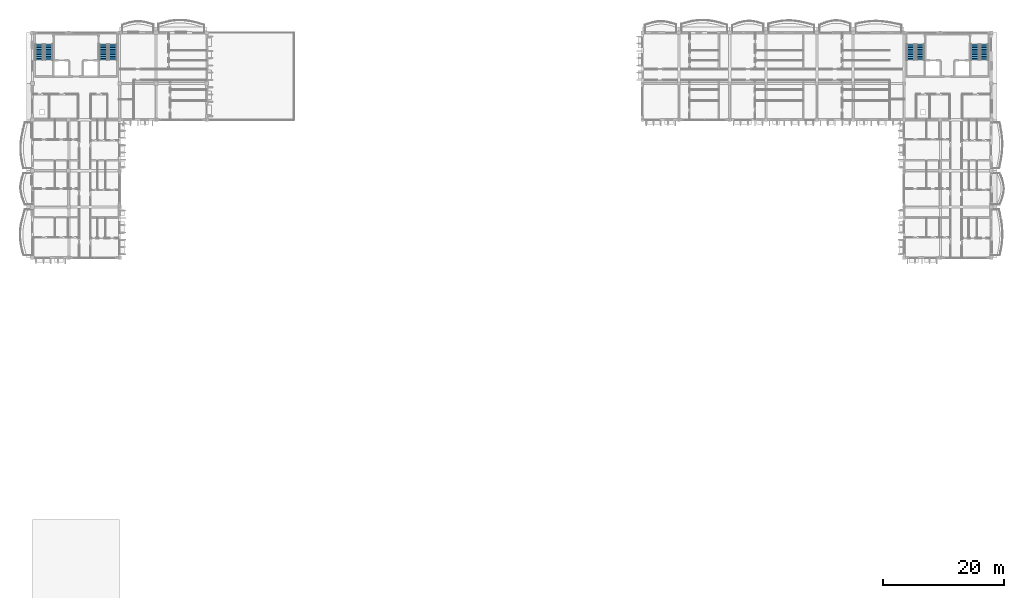
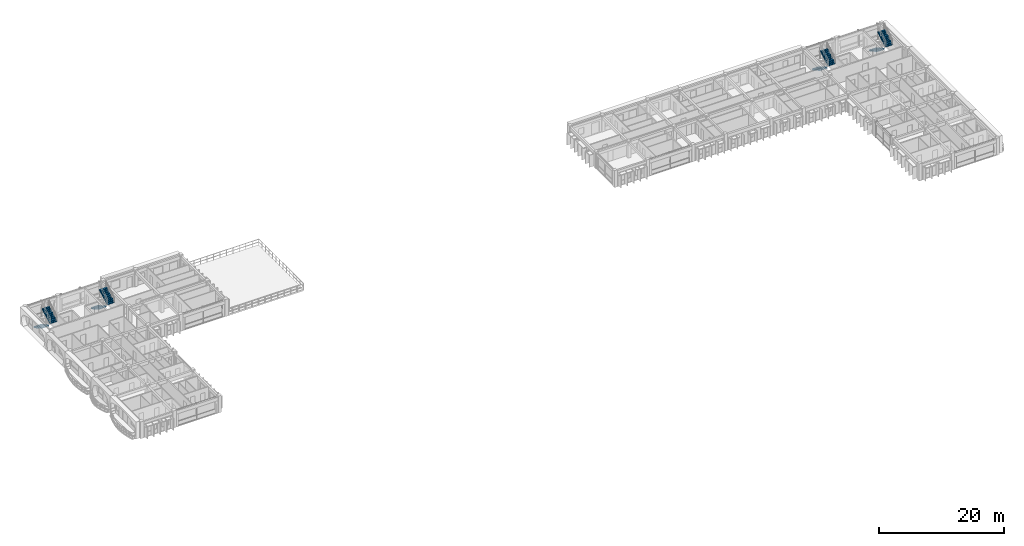
# One storey, part 20 of 31: 8 stair flights, 4 elements without a shape of their own.
"""IFC4 building model written with IfcOpenShell, lengths in metres."""

from ifc_helpers import new_model, si_unit, direction, frame, origin, place, context, subcontext, project, spatial, polyline, outline, extrude, material, type_object, element, aggregate, save


model = new_model("IFC4")

# Units and contexts
model_context = context("Model", 3, precision=1e-05, world=origin(), true_north=direction((0.0, 1.0)))
body_context = subcontext(model_context, "Body", "Model", "MODEL_VIEW")
ifc_project = project(units=[si_unit("LENGTHUNIT", "METRE"), si_unit("AREAUNIT", "SQUARE_METRE"), si_unit("VOLUMEUNIT", "CUBIC_METRE"), si_unit("PLANEANGLEUNIT", "RADIAN"), si_unit("MASSUNIT", "GRAM", prefix="KILO"), si_unit("THERMODYNAMICTEMPERATUREUNIT", "KELVIN")], contexts=[model_context])

# Site, building, storey
site_placement = place(None, origin())
site = spatial("IfcSite", under=ifc_project, at=site_placement, CompositionType="ELEMENT")
building_placement = place(site_placement, origin())
building = spatial("IfcBuilding", under=site, at=building_placement, Name="Thalorik Housing Commons", CompositionType="ELEMENT")
storey_placement = place(building_placement, frame((0.0, 0.0, 37.800048828125)))
storey = spatial("IfcBuildingStorey", under=building, at=storey_placement, Name="L11", CompositionType="ELEMENT", Elevation=37.800048828125)

# Stair, stair flights
ifc_material = material(Name="Precast concrete C40/50", Category="concrete")
stair_type = type_object("IfcStairType", Name="ARC-STR-1350-R20", PredefinedType="HALF_TURN_STAIR", material=ifc_material)
stair_1_placement = place(storey_placement, origin())
stair_1 = element("IfcStair", 1, at=stair_1_placement, inside=storey, type_object=stair_type, Name="L11 Block A Smoke-Proof Stair 1", PredefinedType="HALF_TURN_STAIR")
stair_flight_type = type_object("IfcStairFlightType", Name="ARC-SFLT-1350-R10", PredefinedType="STRAIGHT", material=ifc_material)
stair_flight_1_placement = place(storey_placement, frame((9.52490234375, 121.699951171875, 0.0), z_axis=(0.0, 0.0, 1.0), x_axis=(0.0, -1.0, 0.0)))
stair_flight_1 = element("IfcStairFlight", 2, at=stair_flight_1_placement, type_object=stair_flight_type, Name="ST-A1 flight 1", NumberOfRisers=10, NumberOfTreads=9, PredefinedType="STRAIGHT", RiserHeight=0.165, TreadLength=0.29, context=body_context, shape_type="SweptSolid", body=[
    extrude(outline(polyline([(0.0, 0.0), (0.0, 0.1650390625), (0.2900390625, 0.1650390625), (0.2900390625, 0.330078125), (0.580078125, 0.330078125), (0.580078125, 0.4951171875), (0.8701171875, 0.4951171875), (0.8701171875, 0.659912109375), (1.159912109375, 0.659912109375), (1.159912109375, 0.824951171875), (1.449951171875, 0.824951171875), (1.449951171875, 0.989990234375), (1.739990234375, 0.989990234375), (1.739990234375, 1.155029296875), (2.030029296875, 1.155029296875), (2.030029296875, 1.320068359375), (2.320068359375, 1.320068359375), (2.320068359375, 1.485107421875), (2.610107421875, 1.485107421875), (2.610107421875, 1.64990234375), (2.610107421875, 1.301025390625), (0.323486328125, 0.0), (0.0, 0.0)])), frame((0.0, 0.675048828125, 0.0), z_axis=(0.0, -1.0, 0.0), x_axis=(1.0, 0.0, 0.0)), (0.0, 0.0, 1.0), 1.35009765625),
])
stair_flight_2_placement = place(storey_placement, frame((11.074951171875, 119.090087890625, 1.64990234375), z_axis=(0.0, 0.0, 1.0), x_axis=(0.0, 1.0, 0.0)))
stair_flight_2 = element("IfcStairFlight", 3, at=stair_flight_2_placement, type_object=stair_flight_type, Name="ST-A1 flight 2", NumberOfRisers=10, NumberOfTreads=9, PredefinedType="STRAIGHT", RiserHeight=0.165, TreadLength=0.29, context=body_context, shape_type="SweptSolid", body=[
    extrude(outline(polyline([(0.0, 0.0), (0.0, 0.1650390625), (0.2900390625, 0.1650390625), (0.2900390625, 0.330078125), (0.580078125, 0.330078125), (0.580078125, 0.4951171875), (0.8701171875, 0.4951171875), (0.8701171875, 0.659912109375), (1.159912109375, 0.659912109375), (1.159912109375, 0.824951171875), (1.449951171875, 0.824951171875), (1.449951171875, 0.989990234375), (1.739990234375, 0.989990234375), (1.739990234375, 1.155029296875), (2.030029296875, 1.155029296875), (2.030029296875, 1.320068359375), (2.320068359375, 1.320068359375), (2.320068359375, 1.485107421875), (2.610107421875, 1.485107421875), (2.610107421875, 1.64990234375), (2.610107421875, 1.301025390625), (0.323486328125, 0.0), (0.0, 0.0)])), frame((0.0, 0.675048828125, 0.0), z_axis=(0.0, -1.0, 0.0), x_axis=(1.0, 0.0, 0.0)), (0.0, 0.0, 1.0), 1.35009765625),
])
aggregate(stair_1, [stair_flight_1, stair_flight_2])

stair_2_placement = place(storey_placement, origin())
stair_2 = element("IfcStair", 4, at=stair_2_placement, inside=storey, type_object=stair_type, Name="L11 Block A Smoke-Proof Stair 2", PredefinedType="HALF_TURN_STAIR")
stair_flight_3_placement = place(storey_placement, frame((20.125, 121.699951171875, 0.0), z_axis=(0.0, 0.0, 1.0), x_axis=(0.0, -1.0, 0.0)))
stair_flight_3 = element("IfcStairFlight", 5, at=stair_flight_3_placement, type_object=stair_flight_type, Name="ST-A2 flight 1", NumberOfRisers=10, NumberOfTreads=9, PredefinedType="STRAIGHT", RiserHeight=0.165, TreadLength=0.29, context=body_context, shape_type="SweptSolid", body=[
    extrude(outline(polyline([(0.0, 0.0), (0.0, 0.1650390625), (0.2900390625, 0.1650390625), (0.2900390625, 0.330078125), (0.580078125, 0.330078125), (0.580078125, 0.4951171875), (0.8701171875, 0.4951171875), (0.8701171875, 0.659912109375), (1.159912109375, 0.659912109375), (1.159912109375, 0.824951171875), (1.449951171875, 0.824951171875), (1.449951171875, 0.989990234375), (1.739990234375, 0.989990234375), (1.739990234375, 1.155029296875), (2.030029296875, 1.155029296875), (2.030029296875, 1.320068359375), (2.320068359375, 1.320068359375), (2.320068359375, 1.485107421875), (2.610107421875, 1.485107421875), (2.610107421875, 1.64990234375), (2.610107421875, 1.301025390625), (0.323486328125, 0.0), (0.0, 0.0)])), frame((0.0, 0.675048828125, 0.0), z_axis=(0.0, -1.0, 0.0), x_axis=(1.0, 0.0, 0.0)), (0.0, 0.0, 1.0), 1.35009765625),
])
stair_flight_4_placement = place(storey_placement, frame((21.675048828125, 119.090087890625, 1.64990234375), z_axis=(0.0, 0.0, 1.0), x_axis=(0.0, 1.0, 0.0)))
stair_flight_4 = element("IfcStairFlight", 6, at=stair_flight_4_placement, type_object=stair_flight_type, Name="ST-A2 flight 2", NumberOfRisers=10, NumberOfTreads=9, PredefinedType="STRAIGHT", RiserHeight=0.165, TreadLength=0.29, context=body_context, shape_type="SweptSolid", body=[
    extrude(outline(polyline([(0.0, 0.0), (0.0, 0.1650390625), (0.2900390625, 0.1650390625), (0.2900390625, 0.330078125), (0.580078125, 0.330078125), (0.580078125, 0.4951171875), (0.8701171875, 0.4951171875), (0.8701171875, 0.659912109375), (1.159912109375, 0.659912109375), (1.159912109375, 0.824951171875), (1.449951171875, 0.824951171875), (1.449951171875, 0.989990234375), (1.739990234375, 0.989990234375), (1.739990234375, 1.155029296875), (2.030029296875, 1.155029296875), (2.030029296875, 1.320068359375), (2.320068359375, 1.320068359375), (2.320068359375, 1.485107421875), (2.610107421875, 1.485107421875), (2.610107421875, 1.64990234375), (2.610107421875, 1.301025390625), (0.323486328125, 0.0), (0.0, 0.0)])), frame((0.0, 0.675048828125, 0.0), z_axis=(0.0, -1.0, 0.0), x_axis=(1.0, 0.0, 0.0)), (0.0, 0.0, 1.0), 1.35009765625),
])
aggregate(stair_2, [stair_flight_3, stair_flight_4])

stair_3_placement = place(storey_placement, origin())
stair_3 = element("IfcStair", 7, at=stair_3_placement, inside=storey, type_object=stair_type, Name="L11 Block B Smoke-Proof Stair 1", PredefinedType="HALF_TURN_STAIR")
stair_flight_5_placement = place(storey_placement, frame((153.52490234375, 121.699951171875, 0.0), z_axis=(0.0, 0.0, 1.0), x_axis=(0.0, -1.0, 0.0)))
stair_flight_5 = element("IfcStairFlight", 8, at=stair_flight_5_placement, type_object=stair_flight_type, Name="ST-B1 flight 1", NumberOfRisers=10, NumberOfTreads=9, PredefinedType="STRAIGHT", RiserHeight=0.165, TreadLength=0.29, context=body_context, shape_type="SweptSolid", body=[
    extrude(outline(polyline([(0.0, 0.0), (0.0, 0.1650390625), (0.2900390625, 0.1650390625), (0.2900390625, 0.330078125), (0.580078125, 0.330078125), (0.580078125, 0.4951171875), (0.8701171875, 0.4951171875), (0.8701171875, 0.659912109375), (1.159912109375, 0.659912109375), (1.159912109375, 0.824951171875), (1.449951171875, 0.824951171875), (1.449951171875, 0.989990234375), (1.739990234375, 0.989990234375), (1.739990234375, 1.155029296875), (2.030029296875, 1.155029296875), (2.030029296875, 1.320068359375), (2.320068359375, 1.320068359375), (2.320068359375, 1.485107421875), (2.610107421875, 1.485107421875), (2.610107421875, 1.64990234375), (2.610107421875, 1.301025390625), (0.323486328125, 0.0), (0.0, 0.0)])), frame((0.0, 0.675048828125, 0.0), z_axis=(0.0, -1.0, 0.0), x_axis=(1.0, 0.0, 0.0)), (0.0, 0.0, 1.0), 1.35009765625),
])
stair_flight_6_placement = place(storey_placement, frame((155.074951171875, 119.090087890625, 1.64990234375), z_axis=(0.0, 0.0, 1.0), x_axis=(0.0, 1.0, 0.0)))
stair_flight_6 = element("IfcStairFlight", 9, at=stair_flight_6_placement, type_object=stair_flight_type, Name="ST-B1 flight 2", NumberOfRisers=10, NumberOfTreads=9, PredefinedType="STRAIGHT", RiserHeight=0.165, TreadLength=0.29, context=body_context, shape_type="SweptSolid", body=[
    extrude(outline(polyline([(0.0, 0.0), (0.0, 0.1650390625), (0.2900390625, 0.1650390625), (0.2900390625, 0.330078125), (0.580078125, 0.330078125), (0.580078125, 0.4951171875), (0.8701171875, 0.4951171875), (0.8701171875, 0.659912109375), (1.159912109375, 0.659912109375), (1.159912109375, 0.824951171875), (1.449951171875, 0.824951171875), (1.449951171875, 0.989990234375), (1.739990234375, 0.989990234375), (1.739990234375, 1.155029296875), (2.030029296875, 1.155029296875), (2.030029296875, 1.320068359375), (2.320068359375, 1.320068359375), (2.320068359375, 1.485107421875), (2.610107421875, 1.485107421875), (2.610107421875, 1.64990234375), (2.610107421875, 1.301025390625), (0.323486328125, 0.0), (0.0, 0.0)])), frame((0.0, 0.675048828125, 0.0), z_axis=(0.0, -1.0, 0.0), x_axis=(1.0, 0.0, 0.0)), (0.0, 0.0, 1.0), 1.35009765625),
])
aggregate(stair_3, [stair_flight_5, stair_flight_6])

stair_4_placement = place(storey_placement, origin())
stair_4 = element("IfcStair", 10, at=stair_4_placement, inside=storey, type_object=stair_type, Name="L11 Block B Smoke-Proof Stair 2", PredefinedType="HALF_TURN_STAIR")
stair_flight_7_placement = place(storey_placement, frame((164.125, 121.699951171875, 0.0), z_axis=(0.0, 0.0, 1.0), x_axis=(0.0, -1.0, 0.0)))
stair_flight_7 = element("IfcStairFlight", 11, at=stair_flight_7_placement, type_object=stair_flight_type, Name="ST-B2 flight 1", NumberOfRisers=10, NumberOfTreads=9, PredefinedType="STRAIGHT", RiserHeight=0.165, TreadLength=0.29, context=body_context, shape_type="SweptSolid", body=[
    extrude(outline(polyline([(0.0, 0.0), (0.0, 0.1650390625), (0.2900390625, 0.1650390625), (0.2900390625, 0.330078125), (0.580078125, 0.330078125), (0.580078125, 0.4951171875), (0.8701171875, 0.4951171875), (0.8701171875, 0.659912109375), (1.159912109375, 0.659912109375), (1.159912109375, 0.824951171875), (1.449951171875, 0.824951171875), (1.449951171875, 0.989990234375), (1.739990234375, 0.989990234375), (1.739990234375, 1.155029296875), (2.030029296875, 1.155029296875), (2.030029296875, 1.320068359375), (2.320068359375, 1.320068359375), (2.320068359375, 1.485107421875), (2.610107421875, 1.485107421875), (2.610107421875, 1.64990234375), (2.610107421875, 1.301025390625), (0.323486328125, 0.0), (0.0, 0.0)])), frame((0.0, 0.675048828125, 0.0), z_axis=(0.0, -1.0, 0.0), x_axis=(1.0, 0.0, 0.0)), (0.0, 0.0, 1.0), 1.35009765625),
])
stair_flight_8_placement = place(storey_placement, frame((165.675048828125, 119.090087890625, 1.64990234375), z_axis=(0.0, 0.0, 1.0), x_axis=(0.0, 1.0, 0.0)))
stair_flight_8 = element("IfcStairFlight", 12, at=stair_flight_8_placement, type_object=stair_flight_type, Name="ST-B2 flight 2", NumberOfRisers=10, NumberOfTreads=9, PredefinedType="STRAIGHT", RiserHeight=0.165, TreadLength=0.29, context=body_context, shape_type="SweptSolid", body=[
    extrude(outline(polyline([(0.0, 0.0), (0.0, 0.1650390625), (0.2900390625, 0.1650390625), (0.2900390625, 0.330078125), (0.580078125, 0.330078125), (0.580078125, 0.4951171875), (0.8701171875, 0.4951171875), (0.8701171875, 0.659912109375), (1.159912109375, 0.659912109375), (1.159912109375, 0.824951171875), (1.449951171875, 0.824951171875), (1.449951171875, 0.989990234375), (1.739990234375, 0.989990234375), (1.739990234375, 1.155029296875), (2.030029296875, 1.155029296875), (2.030029296875, 1.320068359375), (2.320068359375, 1.320068359375), (2.320068359375, 1.485107421875), (2.610107421875, 1.485107421875), (2.610107421875, 1.64990234375), (2.610107421875, 1.301025390625), (0.323486328125, 0.0), (0.0, 0.0)])), frame((0.0, 0.675048828125, 0.0), z_axis=(0.0, -1.0, 0.0), x_axis=(1.0, 0.0, 0.0)), (0.0, 0.0, 1.0), 1.35009765625),
])
aggregate(stair_4, [stair_flight_7, stair_flight_8])

save(model, "model.ifc")
